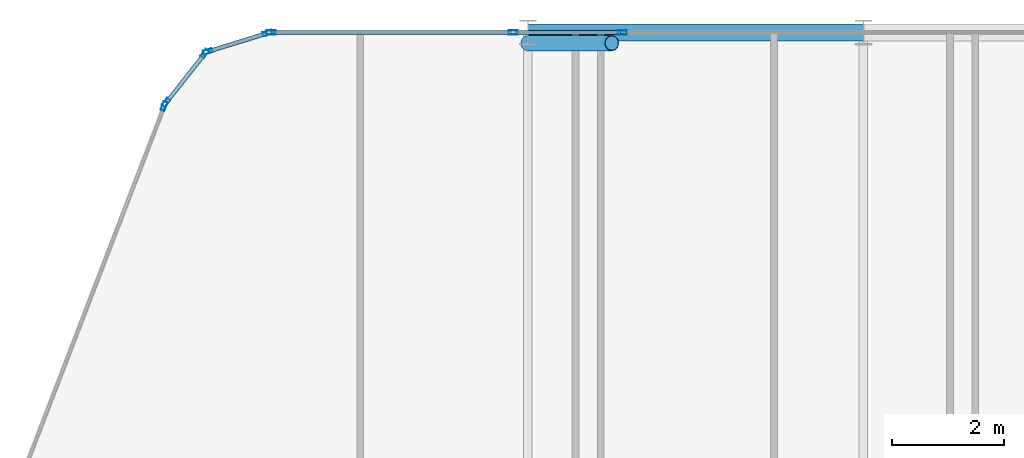
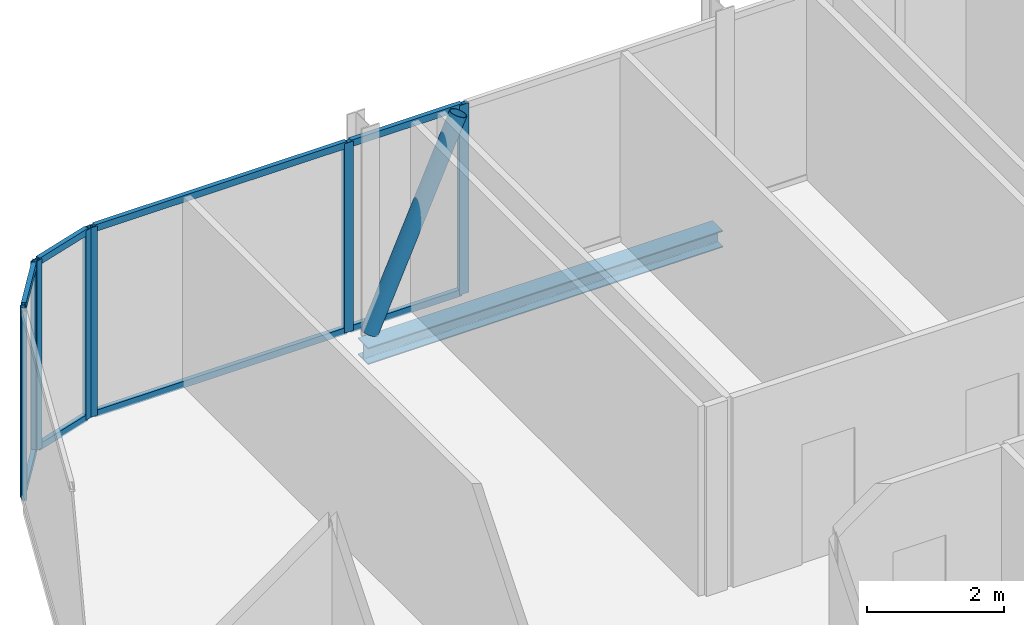
# One storey, part 18 of 29: 17 members, 1 beam, 5 elements without a shape of their own.
"""IFC4 building model written with IfcOpenShell, lengths in metres."""

import ifcopenshell
import ifcopenshell.guid

model = None  # the IFC model being written
_history = None  # IfcOwnerHistory: only IFC2X3 demands one
_inside = {}  # id of a spatial element -> (the spatial element, [elements in it])
_under = {}  # id of a project, library or spatial element -> (it, [spatial elements below it])
_declared = {}  # id of a project -> (the project, [libraries it declares])
_typed = {}  # id of a type object -> (the type object, [elements of that type])
_made_of = {}  # id of a material, layer set ... -> (it, [elements and type objects made of it])


def new_model(schema):
    """Start an empty IFC model of exactly this schema.

    Asked for "IFC4X3", IfcOpenShell would pick the latest addendum, in which some entities
    have other attributes; the version numbers below select the first issue.
    IFC2X3 requires an IfcOwnerHistory on every rooted entity: one is made here for all.
    """
    global model, _history
    if schema == "IFC4X3":
        model = ifcopenshell.file(schema_version=(4, 3, 0, 0))
    else:
        model = ifcopenshell.file(schema=schema)
    _inside.clear()
    _under.clear()
    _declared.clear()
    _typed.clear()
    _made_of.clear()
    _history = None
    if model.schema == "IFC2X3":
        org = make("IfcOrganization", Name="unknown")
        user = make(
            "IfcPersonAndOrganization",
            ThePerson=make("IfcPerson", FamilyName="unknown"),
            TheOrganization=org,
        )
        app = make(
            "IfcApplication",
            ApplicationDeveloper=org,
            Version="unknown",
            ApplicationFullName="unknown",
            ApplicationIdentifier="unknown",
        )
        _history = make(
            "IfcOwnerHistory",
            OwningUser=user,
            OwningApplication=app,
            ChangeAction="ADDED",
            CreationDate=0,
        )
    return model


def make(cls, **values):
    """One entity of the class cls with the attributes given. An attribute that is None is left unset."""
    return model.create_entity(
        cls, **{name: value for name, value in values.items() if value is not None}
    )


def rooted(cls, **values):
    """An entity with a GlobalId (a new one), such as an element, a storey or a relation."""
    return make(cls, GlobalId=ifcopenshell.guid.new(), OwnerHistory=_history, **values)


def si_unit(unit_type, name, prefix=None):
    """IfcSIUnit, for example si_unit("LENGTHUNIT", "METRE", prefix="MILLI")."""
    return make("IfcSIUnit", UnitType=unit_type, Prefix=prefix, Name=name)


def assignment(units):
    """IfcUnitAssignment: the units of a project."""
    return None if units is None else make("IfcUnitAssignment", Units=units)


def point(xyz):
    """IfcCartesianPoint."""
    return None if xyz is None else make("IfcCartesianPoint", Coordinates=xyz)


def direction(xyz):
    """IfcDirection."""
    return None if xyz is None else make("IfcDirection", DirectionRatios=xyz)


def frame(location, z_axis=None, x_axis=None):
    """IfcAxis2Placement3D, a coordinate frame: its origin and axes. An axis left out is left unset."""
    return make(
        "IfcAxis2Placement3D",
        Location=point(location),
        Axis=direction(z_axis),
        RefDirection=direction(x_axis),
    )


def frame_2d(location, x_axis=None):
    """IfcAxis2Placement2D, a coordinate frame in the plane: its origin and x axis."""
    return make(
        "IfcAxis2Placement2D", Location=point(location), RefDirection=direction(x_axis)
    )


def origin():
    """The frame at (0, 0, 0) with its axes left unset."""
    return frame((0.0, 0.0, 0.0))


def origin_2d():
    """The frame at (0, 0) in the plane with its x axis left unset."""
    return frame_2d((0.0, 0.0))


def place(relative_to, where):
    """IfcLocalPlacement: puts the frame where relative to a parent placement (None: the world)."""
    return make(
        "IfcLocalPlacement", PlacementRelTo=relative_to, RelativePlacement=where
    )


def context(
    kind, dimensions, precision=None, world=None, true_north=None, identifier=None
):
    """IfcGeometricRepresentationContext, for example the 3D "Model" context."""
    return make(
        "IfcGeometricRepresentationContext",
        ContextIdentifier=identifier,
        ContextType=kind,
        CoordinateSpaceDimension=dimensions,
        Precision=precision,
        WorldCoordinateSystem=world,
        TrueNorth=true_north,
    )


def subcontext(parent, identifier, kind, view, scale=None):
    """IfcGeometricRepresentationSubContext, for example "Body" below "Model"."""
    return make(
        "IfcGeometricRepresentationSubContext",
        ContextIdentifier=identifier,
        ContextType=kind,
        ParentContext=parent,
        TargetScale=scale,
        TargetView=view,
    )


def project(units=None, contexts=None):
    """IfcProject with its units and contexts."""
    return rooted(
        "IfcProject",
        Name="project",
        RepresentationContexts=contexts,
        UnitsInContext=assignment(units),
    )


def spatial(cls, under=None, at=None, **own):
    """A site, building, storey or space (cls), placed at a placement, below another one or the project."""
    s = rooted(cls, ObjectPlacement=at, **own)
    if under is not None:
        _under.setdefault(under.id(), (under, []))[1].append(s)
    return s


def profile(cls, at=None, kind="AREA", **sizes):
    """A parametric profile (cls). Its sizes go by their IFC names, for example OverallWidth=200.0."""
    return make(cls, ProfileType=kind, Position=at, **sizes)


def hollow_rectangle(**sizes):
    """IfcRectangleHollowProfileDef."""
    return profile("IfcRectangleHollowProfileDef", **sizes)


def hollow_circle(**sizes):
    """IfcCircleHollowProfileDef."""
    return profile("IfcCircleHollowProfileDef", **sizes)


def i_section(**sizes):
    """IfcIShapeProfileDef."""
    return profile("IfcIShapeProfileDef", **sizes)


def extrude(swept, where, along, depth):
    """IfcExtrudedAreaSolid: the profile swept, set in the frame where, extruded along a direction by depth."""
    return make(
        "IfcExtrudedAreaSolid",
        SweptArea=swept,
        Position=where,
        ExtrudedDirection=direction(along),
        Depth=depth,
    )


def shape(context_of_items, identifier, shape_type, items):
    """IfcShapeRepresentation: the items that make up one representation, for example the "Body"."""
    return make(
        "IfcShapeRepresentation",
        ContextOfItems=context_of_items,
        RepresentationIdentifier=identifier,
        RepresentationType=shape_type,
        Items=items,
    )


def material(Name=None, Category=None):
    """IfcMaterial."""
    return make("IfcMaterial", Name=Name, Category=Category)


def layer(
    of_material, thickness, ventilated=None, Name=None, Category=None, Priority=None
):
    """IfcMaterialLayer: one layer of a wall or slab, of a material (None: an air gap)."""
    return make(
        "IfcMaterialLayer",
        Material=of_material,
        LayerThickness=thickness,
        IsVentilated=ventilated,
        Name=Name,
        Category=Category,
        Priority=Priority,
    )


def layer_set(layers, Name=None):
    """IfcMaterialLayerSet."""
    return make("IfcMaterialLayerSet", MaterialLayers=layers, LayerSetName=Name)


def material_profile(
    of_material, cross_section, Name=None, Category=None, Priority=None
):
    """IfcMaterialProfile: a cross section and its material."""
    return make(
        "IfcMaterialProfile",
        Name=Name,
        Material=of_material,
        Profile=cross_section,
        Priority=Priority,
        Category=Category,
    )


def profile_set(profiles, Name=None, composite=None):
    """IfcMaterialProfileSet."""
    return make(
        "IfcMaterialProfileSet",
        Name=Name,
        MaterialProfiles=profiles,
        CompositeProfile=composite,
    )


def made_of(thing, what):
    """Note that an element or type object is made of a material, layer set ...; save() writes the relation."""
    if what is not None:
        _made_of.setdefault(what.id(), (what, []))[1].append(thing)
    return thing


def type_object(cls, material=None, **own):
    """A type object (cls), such as IfcWallType, which elements share."""
    return made_of(rooted(cls, **own), material)


def element(
    cls,
    number,
    at=None,
    inside=None,
    cuts=None,
    type_object=None,
    material=None,
    context=None,
    identifier="Body",
    shape_type=None,
    held_by="IfcProductDefinitionShape",
    body=None,
    shapes=None,
    **own,
):
    """One element of the class cls, such as IfcWall. Its Tag is "e" and its number.

    at: its placement. inside: the storey or other place that contains it. cuts: it is an
    opening in that element (IfcRelVoidsElement). A single representation is given by context,
    identifier, shape_type and body (its items); several are given by shapes. held_by: the class
    of the entity that holds the representations. save() writes the other relations.
    """
    e = rooted(cls, Tag="e%d" % number, ObjectPlacement=at, **own)
    if body is not None:
        shapes = [shape(context, identifier, shape_type, body)]
    if shapes is not None:
        e.Representation = make(held_by, Representations=shapes)
    if inside is not None:
        _inside.setdefault(inside.id(), (inside, []))[1].append(e)
    if cuts is not None:
        rooted(
            "IfcRelVoidsElement", RelatingBuildingElement=cuts, RelatedOpeningElement=e
        )
    if type_object is not None:
        _typed.setdefault(type_object.id(), (type_object, []))[1].append(e)
    return made_of(e, material)


def aggregate(whole, parts):
    """IfcRelAggregates: a whole, such as a stair, and the parts it consists of."""
    return rooted("IfcRelAggregates", RelatingObject=whole, RelatedObjects=parts)


def save(model, path):
    """Write the relations noted so far, then the file.

    IfcRelAggregates (storeys below a building ...), IfcRelContainedInSpatialStructure (elements
    in a storey), IfcRelDefinesByType, IfcRelAssociatesMaterial and IfcRelDeclares: one each for
    every whole, place, type object, material and project.
    """
    for whole, parts in _under.values():
        aggregate(whole, parts)
    for where, things in _inside.values():
        rooted(
            "IfcRelContainedInSpatialStructure",
            RelatedElements=things,
            RelatingStructure=where,
        )
    for kind, things in _typed.values():
        rooted("IfcRelDefinesByType", RelatedObjects=things, RelatingType=kind)
    for what, things in _made_of.values():
        rooted("IfcRelAssociatesMaterial", RelatedObjects=things, RelatingMaterial=what)
    for by, libraries in _declared.values():
        rooted("IfcRelDeclares", RelatingContext=by, RelatedDefinitions=libraries)
    model.write(path)


model = new_model("IFC4")

# Units and contexts
model_context = context("Model", 3, precision=1e-05, world=origin(), true_north=direction((0.0, 1.0)))
body_context = subcontext(model_context, "Body", "Model", "MODEL_VIEW")
ifc_project = project(units=[si_unit("LENGTHUNIT", "METRE"), si_unit("AREAUNIT", "SQUARE_METRE"), si_unit("VOLUMEUNIT", "CUBIC_METRE"), si_unit("PLANEANGLEUNIT", "RADIAN"), si_unit("MASSUNIT", "GRAM", prefix="KILO")], contexts=[model_context])

# Site, building, storey
site_placement = place(None, origin())
site = spatial("IfcSite", under=ifc_project, at=site_placement, CompositionType="ELEMENT")
building_placement = place(site_placement, origin())
building = spatial("IfcBuilding", under=site, at=building_placement, Name="Keshet Zoharim Tower", CompositionType="ELEMENT")
storey_placement = place(building_placement, frame((0.0, 0.0, 222.800048828125)))
storey = spatial("IfcBuildingStorey", under=building, at=storey_placement, Name="L55", CompositionType="ELEMENT", Elevation=222.800048828125)

# Beam
ifc_material_1 = material(Name="Steel S355", Category="steel")
ifc_material_profile_1 = material_profile(ifc_material_1, i_section(OverallWidth=0.300048828125, OverallDepth=0.300048828125, WebThickness=0.010986328125, FlangeThickness=0.01904296875, FilletRadius=0.027099609375, at=origin_2d()), Name="HEB300")
ifc_profile_set_1 = profile_set([ifc_material_profile_1], Name="Steel S355")
beam_type = type_object("IfcBeamType", Name="BM-PRI-HB300", PredefinedType="BEAM", material=ifc_profile_set_1)
beam_placement = place(storey_placement, frame((21.0, 53.89990234375, -0.4599609375), z_axis=(1.0, 0.0, 0.0), x_axis=(0.0, 1.0, 0.0)))
element("IfcBeam", 1, at=beam_placement, inside=storey, type_object=beam_type, Name="L55 Primary Girder X-019", PredefinedType="BEAM", context=body_context, shape_type="SweptSolid", body=[
    extrude(i_section(OverallWidth=0.300048828125, OverallDepth=0.300048828125, WebThickness=0.010986328125, FlangeThickness=0.01904296875, FilletRadius=0.027099609375, at=origin_2d()), origin(), (0.0, 0.0, 1.0), 6.0),
])

# Curtain wall, member
ifc_material_2 = material(Name="Aluminium 6063-T6", Category="aluminium")
ifc_layer = layer(ifc_material_2, 0.139892578125)
ifc_layer_set = layer_set([ifc_layer], Name="Aluminium 6063-T6")
curtain_wall_type = type_object("IfcCurtainWallType", Name="CW-SYS-05", PredefinedType="NOTDEFINED", material=ifc_layer_set)
curtain_wall_1_placement = place(storey_placement, origin())
curtain_wall_1 = element("IfcCurtainWall", 2, at=curtain_wall_1_placement, inside=storey, type_object=curtain_wall_type, Name="L55 Unitised Curtain Wall 13", PredefinedType="NOTDEFINED")
ifc_material_profile_2 = material_profile(ifc_material_2, hollow_rectangle(XDim=0.074951171875, YDim=0.159912109375, WallThickness=0.00390625, at=origin_2d()), Name="MUL-75x160")
ifc_profile_set_2 = profile_set([ifc_material_profile_2], Name="Aluminium 6063-T6")
member_type_1 = type_object("IfcMemberType", Name="CWM-M15", PredefinedType="MULLION", material=ifc_profile_set_2)
member_1_placement = place(storey_placement, frame((14.494384765625, 52.58544921875, 0.0), z_axis=(0.0, 0.0, 1.0), x_axis=(-0.933341404361, 0.358990003907, 0.0)))
member_1 = element("IfcMember", 3, at=member_1_placement, type_object=member_type_1, Name="CW-05 mullion 4", PredefinedType="MULLION", context=body_context, shape_type="SweptSolid", body=[
    extrude(hollow_rectangle(XDim=0.074951171875, YDim=0.159912109375, WallThickness=0.00390625, at=origin_2d()), origin(), (0.0, 0.0, 1.0), 3.389892578125),
])
aggregate(curtain_wall_1, [member_1])

# Curtain wall, members
curtain_wall_2_placement = place(storey_placement, origin())
curtain_wall_2 = element("IfcCurtainWall", 4, at=curtain_wall_2_placement, inside=storey, type_object=curtain_wall_type, Name="L55 Unitised Curtain Wall 14", PredefinedType="NOTDEFINED")
member_2_placement = place(storey_placement, frame((14.528564453125, 52.6455078125, 0.0), z_axis=(0.0, 0.0, 1.0), x_axis=(-0.785292825205, 0.619124525989, 0.0)))
member_2 = element("IfcMember", 5, at=member_2_placement, type_object=member_type_1, Name="CW-05 mullion 1", PredefinedType="MULLION", context=body_context, shape_type="SweptSolid", body=[
    extrude(hollow_rectangle(XDim=0.074951171875, YDim=0.159912109375, WallThickness=0.00390625, at=origin_2d()), origin(), (0.0, 0.0, 1.0), 3.389892578125),
])
member_3_placement = place(storey_placement, frame((15.21923828125, 53.521484375, 0.0), z_axis=(0.0, 0.0, 1.0), x_axis=(-0.785292825205, 0.619124525989, 0.0)))
member_3 = element("IfcMember", 6, at=member_3_placement, type_object=member_type_1, Name="CW-05 mullion 2", PredefinedType="MULLION", context=body_context, shape_type="SweptSolid", body=[
    extrude(hollow_rectangle(XDim=0.074951171875, YDim=0.159912109375, WallThickness=0.00390625, at=origin_2d()), origin(), (0.0, 0.0, 1.0), 3.389892578125),
])

curtain_wall_3_placement = place(storey_placement, origin())
curtain_wall_3 = element("IfcCurtainWall", 7, at=curtain_wall_3_placement, inside=storey, type_object=curtain_wall_type, Name="L55 Unitised Curtain Wall 15", PredefinedType="NOTDEFINED")
member_4_placement = place(storey_placement, frame((15.2744140625, 53.559326171875, 0.0), z_axis=(0.0, 0.0, 1.0), x_axis=(-0.295921857984, 0.955212151288, 0.0)))
member_4 = element("IfcMember", 8, at=member_4_placement, type_object=member_type_1, Name="CW-05 mullion 1", PredefinedType="MULLION", context=body_context, shape_type="SweptSolid", body=[
    extrude(hollow_rectangle(XDim=0.074951171875, YDim=0.159912109375, WallThickness=0.00390625, at=origin_2d()), origin(), (0.0, 0.0, 1.0), 3.389892578125),
])
member_5_placement = place(storey_placement, frame((16.340576171875, 53.8896484375, 0.0), z_axis=(0.0, 0.0, 1.0), x_axis=(-0.295921857984, 0.955212151288, 0.0)))
member_5 = element("IfcMember", 9, at=member_5_placement, type_object=member_type_1, Name="CW-05 mullion 2", PredefinedType="MULLION", context=body_context, shape_type="SweptSolid", body=[
    extrude(hollow_rectangle(XDim=0.074951171875, YDim=0.159912109375, WallThickness=0.00390625, at=origin_2d()), origin(), (0.0, 0.0, 1.0), 3.389892578125),
])

curtain_wall_4_placement = place(storey_placement, origin())
curtain_wall_4 = element("IfcCurtainWall", 10, at=curtain_wall_4_placement, inside=storey, type_object=curtain_wall_type, Name="L55 Unitised Curtain Wall 16", PredefinedType="NOTDEFINED")
member_6_placement = place(storey_placement, frame((16.408935546875, 53.89990234375, 0.0), z_axis=(0.0, 0.0, 1.0), x_axis=(0.0, 1.0, 0.0)))
member_6 = element("IfcMember", 11, at=member_6_placement, type_object=member_type_1, Name="CW-05 mullion 1", PredefinedType="MULLION", context=body_context, shape_type="SweptSolid", body=[
    extrude(hollow_rectangle(XDim=0.074951171875, YDim=0.159912109375, WallThickness=0.00390625, at=origin_2d()), origin(), (0.0, 0.0, 1.0), 3.389892578125),
])
member_7_placement = place(storey_placement, frame((20.740234375, 53.89990234375, 0.0), z_axis=(0.0, 0.0, 1.0), x_axis=(0.0, 1.0, 0.0)))
member_7 = element("IfcMember", 12, at=member_7_placement, type_object=member_type_1, Name="CW-05 mullion 2", PredefinedType="MULLION", context=body_context, shape_type="SweptSolid", body=[
    extrude(hollow_rectangle(XDim=0.074951171875, YDim=0.159912109375, WallThickness=0.00390625, at=origin_2d()), origin(), (0.0, 0.0, 1.0), 3.389892578125),
])

# Curtain wall, member
curtain_wall_5_placement = place(storey_placement, origin())
curtain_wall_5 = element("IfcCurtainWall", 13, at=curtain_wall_5_placement, inside=storey, type_object=curtain_wall_type, Name="L55 Unitised Curtain Wall 16 Part 2", PredefinedType="NOTDEFINED")
member_8_placement = place(storey_placement, frame((22.689697265625, 53.89990234375, 0.0), z_axis=(0.0, 0.0, 1.0), x_axis=(0.0, 1.0, 0.0)))
member_8 = element("IfcMember", 14, at=member_8_placement, type_object=member_type_1, Name="CW-05 mullion 2", PredefinedType="MULLION", context=body_context, shape_type="SweptSolid", body=[
    extrude(hollow_rectangle(XDim=0.074951171875, YDim=0.159912109375, WallThickness=0.00390625, at=origin_2d()), origin(), (0.0, 0.0, 1.0), 3.389892578125),
])

# Member
ifc_material_profile_3 = material_profile(ifc_material_2, hollow_rectangle(XDim=0.074951171875, YDim=0.1201171875, WallThickness=0.00390625, at=origin_2d()), Name="TRN-75x120")
ifc_profile_set_3 = profile_set([ifc_material_profile_3], Name="Aluminium 6063-T6")
member_type_2 = type_object("IfcMemberType", Name="CWT-T12", PredefinedType="USERDEFINED", material=ifc_profile_set_3)
member_9_placement = place(storey_placement, frame((14.55029296875, 52.6728515625, 0.034912109375), z_axis=(0.619099165969, 0.78531281837, 0.0), x_axis=(-0.78531281837, 0.619099165969, 0.0)))
member_9 = element("IfcMember", 15, at=member_9_placement, type_object=member_type_2, Name="CW-05 transom 1.1", ObjectType="TRANSOM", PredefinedType="USERDEFINED", context=body_context, shape_type="SweptSolid", body=[
    extrude(hollow_rectangle(XDim=0.074951171875, YDim=0.1201171875, WallThickness=0.00390625, at=origin_2d()), origin(), (0.0, 0.0, 1.0), 1.0458984375),
])

member_10_placement = place(storey_placement, frame((14.55029296875, 52.6728515625, 3.35498046875), z_axis=(0.619099165969, 0.78531281837, 0.0), x_axis=(-0.78531281837, 0.619099165969, 0.0)))
member_10 = element("IfcMember", 16, at=member_10_placement, type_object=member_type_2, Name="CW-05 transom 1.2", ObjectType="TRANSOM", PredefinedType="USERDEFINED", context=body_context, shape_type="SweptSolid", body=[
    extrude(hollow_rectangle(XDim=0.074951171875, YDim=0.1201171875, WallThickness=0.00390625, at=origin_2d()), origin(), (0.0, 0.0, 1.0), 1.0458984375),
])

aggregate(curtain_wall_2, [member_2, member_3, member_9, member_10])

member_11_placement = place(storey_placement, frame((15.307861328125, 53.56982421875, 0.034912109375), z_axis=(0.955212093062, 0.295922045933, 0.0), x_axis=(-0.295922045933, 0.955212093062, 0.0)))
member_11 = element("IfcMember", 17, at=member_11_placement, type_object=member_type_2, Name="CW-05 transom 1.1", ObjectType="TRANSOM", PredefinedType="USERDEFINED", context=body_context, shape_type="SweptSolid", body=[
    extrude(hollow_rectangle(XDim=0.074951171875, YDim=0.1201171875, WallThickness=0.00390625, at=origin_2d()), origin(), (0.0, 0.0, 1.0), 1.046142578125),
])

member_12_placement = place(storey_placement, frame((15.307861328125, 53.56982421875, 3.35498046875), z_axis=(0.955212093062, 0.295922045933, 0.0), x_axis=(-0.295922045933, 0.955212093062, 0.0)))
member_12 = element("IfcMember", 18, at=member_12_placement, type_object=member_type_2, Name="CW-05 transom 1.2", ObjectType="TRANSOM", PredefinedType="USERDEFINED", context=body_context, shape_type="SweptSolid", body=[
    extrude(hollow_rectangle(XDim=0.074951171875, YDim=0.1201171875, WallThickness=0.00390625, at=origin_2d()), origin(), (0.0, 0.0, 1.0), 1.046142578125),
])

aggregate(curtain_wall_3, [member_4, member_5, member_11, member_12])

member_13_placement = place(storey_placement, frame((16.444091796875, 53.89990234375, 0.034912109375), z_axis=(1.0, 0.0, 0.0), x_axis=(0.0, 1.0, 0.0)))
member_13 = element("IfcMember", 19, at=member_13_placement, type_object=member_type_2, Name="CW-05 transom 1.1", ObjectType="TRANSOM", PredefinedType="USERDEFINED", context=body_context, shape_type="SweptSolid", body=[
    extrude(hollow_rectangle(XDim=0.074951171875, YDim=0.1201171875, WallThickness=0.00390625, at=origin_2d()), origin(), (0.0, 0.0, 1.0), 4.260986328125),
])

member_14_placement = place(storey_placement, frame((16.444091796875, 53.89990234375, 3.35498046875), z_axis=(1.0, 0.0, 0.0), x_axis=(0.0, 1.0, 0.0)))
member_14 = element("IfcMember", 20, at=member_14_placement, type_object=member_type_2, Name="CW-05 transom 1.2", ObjectType="TRANSOM", PredefinedType="USERDEFINED", context=body_context, shape_type="SweptSolid", body=[
    extrude(hollow_rectangle(XDim=0.074951171875, YDim=0.1201171875, WallThickness=0.00390625, at=origin_2d()), origin(), (0.0, 0.0, 1.0), 4.260986328125),
])

aggregate(curtain_wall_4, [member_6, member_7, member_13, member_14])

member_15_placement = place(storey_placement, frame((20.775146484375, 53.89990234375, 0.034912109375), z_axis=(1.0, 0.0, 0.0), x_axis=(0.0, 1.0, 0.0)))
member_15 = element("IfcMember", 21, at=member_15_placement, type_object=member_type_2, Name="CW-05 transom 1.1", ObjectType="TRANSOM", PredefinedType="USERDEFINED", context=body_context, shape_type="SweptSolid", body=[
    extrude(hollow_rectangle(XDim=0.074951171875, YDim=0.1201171875, WallThickness=0.00390625, at=origin_2d()), origin(), (0.0, 0.0, 1.0), 1.879638671875),
])

member_16_placement = place(storey_placement, frame((20.775146484375, 53.89990234375, 3.35498046875), z_axis=(1.0, 0.0, 0.0), x_axis=(0.0, 1.0, 0.0)))
member_16 = element("IfcMember", 22, at=member_16_placement, type_object=member_type_2, Name="CW-05 transom 1.2", ObjectType="TRANSOM", PredefinedType="USERDEFINED", context=body_context, shape_type="SweptSolid", body=[
    extrude(hollow_rectangle(XDim=0.074951171875, YDim=0.1201171875, WallThickness=0.00390625, at=origin_2d()), origin(), (0.0, 0.0, 1.0), 1.879638671875),
])

aggregate(curtain_wall_5, [member_8, member_15, member_16])

ifc_material_profile_4 = material_profile(ifc_material_1, hollow_circle(Radius=0.136474609375, WallThickness=0.010009765625, at=origin_2d()), Name="CHS273x10")
ifc_profile_set_4 = profile_set([ifc_material_profile_4], Name="Steel S355")
member_type_3 = type_object("IfcMemberType", Name="MB-BR-C273", PredefinedType="BRACE", material=ifc_profile_set_4)
member_17_placement = place(storey_placement, frame((21.0, 53.7099609375, 0.0), z_axis=(0.40464689807, 0.0, 0.914473011019), x_axis=(0.0, 1.0, 0.0)))
element("IfcMember", 23, at=member_17_placement, inside=storey, type_object=member_type_3, Name="L55 Perimeter Tube Brace 02", PredefinedType="BRACE", context=body_context, shape_type="SweptSolid", body=[
    extrude(hollow_circle(Radius=0.136474609375, WallThickness=0.010009765625, at=origin_2d()), origin(), (0.0, 0.0, 1.0), 3.70703125),
])

save(model, "model.ifc")
